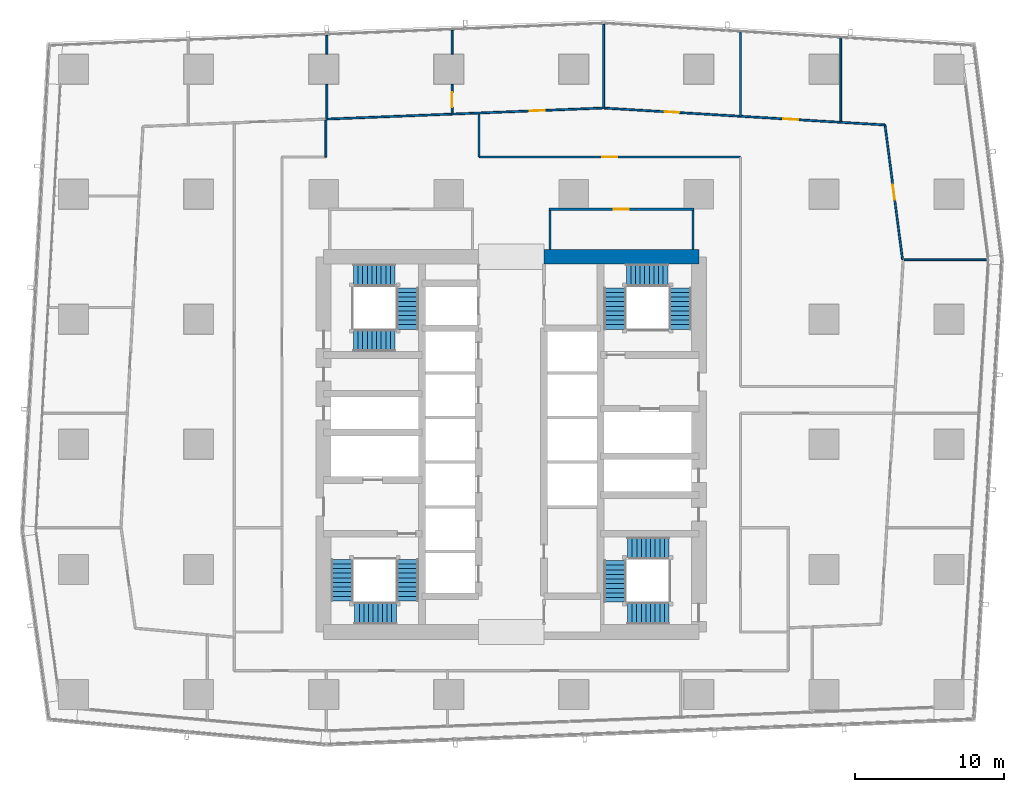
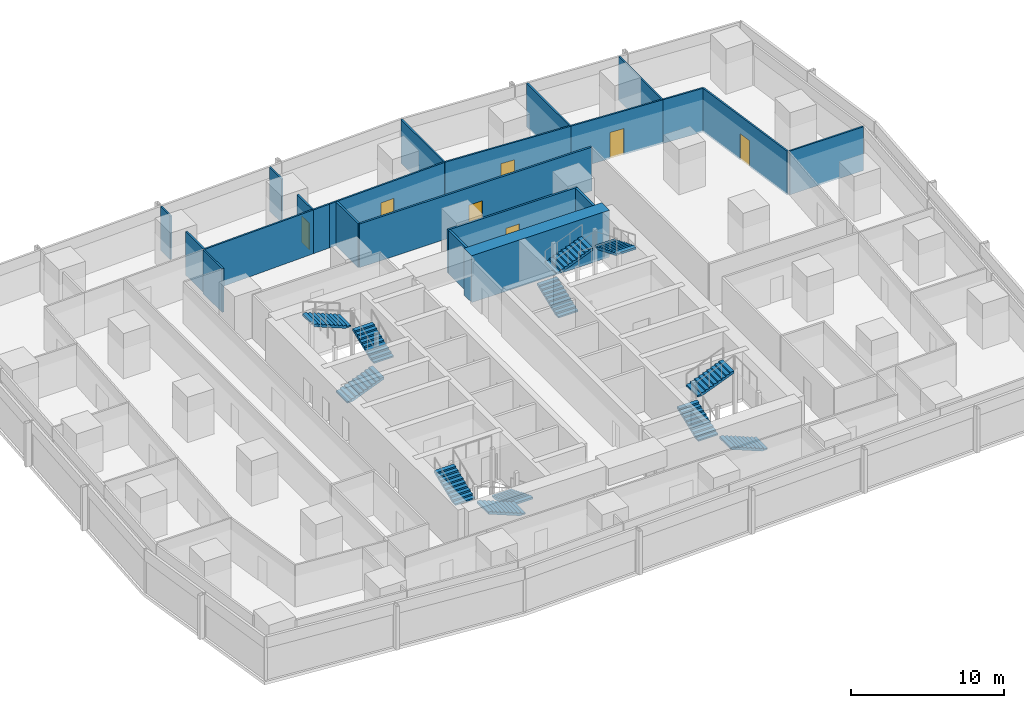
# One storey, part 31 of 39: 22 walls, 12 stair flights, 7 doors, 7 openings, 4 elements without a shape of their own.
"""IFC4 building model written with IfcOpenShell, lengths in metres."""

import ifcopenshell
import ifcopenshell.guid

model = None  # the IFC model being written
_history = None  # IfcOwnerHistory: only IFC2X3 demands one
_inside = {}  # id of a spatial element -> (the spatial element, [elements in it])
_under = {}  # id of a project, library or spatial element -> (it, [spatial elements below it])
_declared = {}  # id of a project -> (the project, [libraries it declares])
_typed = {}  # id of a type object -> (the type object, [elements of that type])
_made_of = {}  # id of a material, layer set ... -> (it, [elements and type objects made of it])


def new_model(schema):
    """Start an empty IFC model of exactly this schema.

    Asked for "IFC4X3", IfcOpenShell would pick the latest addendum, in which some entities
    have other attributes; the version numbers below select the first issue.
    IFC2X3 requires an IfcOwnerHistory on every rooted entity: one is made here for all.
    """
    global model, _history
    if schema == "IFC4X3":
        model = ifcopenshell.file(schema_version=(4, 3, 0, 0))
    else:
        model = ifcopenshell.file(schema=schema)
    _inside.clear()
    _under.clear()
    _declared.clear()
    _typed.clear()
    _made_of.clear()
    _history = None
    if model.schema == "IFC2X3":
        org = make("IfcOrganization", Name="unknown")
        user = make(
            "IfcPersonAndOrganization",
            ThePerson=make("IfcPerson", FamilyName="unknown"),
            TheOrganization=org,
        )
        app = make(
            "IfcApplication",
            ApplicationDeveloper=org,
            Version="unknown",
            ApplicationFullName="unknown",
            ApplicationIdentifier="unknown",
        )
        _history = make(
            "IfcOwnerHistory",
            OwningUser=user,
            OwningApplication=app,
            ChangeAction="ADDED",
            CreationDate=0,
        )
    return model


def make(cls, **values):
    """One entity of the class cls with the attributes given. An attribute that is None is left unset."""
    return model.create_entity(
        cls, **{name: value for name, value in values.items() if value is not None}
    )


def rooted(cls, **values):
    """An entity with a GlobalId (a new one), such as an element, a storey or a relation."""
    return make(cls, GlobalId=ifcopenshell.guid.new(), OwnerHistory=_history, **values)


def si_unit(unit_type, name, prefix=None):
    """IfcSIUnit, for example si_unit("LENGTHUNIT", "METRE", prefix="MILLI")."""
    return make("IfcSIUnit", UnitType=unit_type, Prefix=prefix, Name=name)


def assignment(units):
    """IfcUnitAssignment: the units of a project."""
    return None if units is None else make("IfcUnitAssignment", Units=units)


def point(xyz):
    """IfcCartesianPoint."""
    return None if xyz is None else make("IfcCartesianPoint", Coordinates=xyz)


def direction(xyz):
    """IfcDirection."""
    return None if xyz is None else make("IfcDirection", DirectionRatios=xyz)


def frame(location, z_axis=None, x_axis=None):
    """IfcAxis2Placement3D, a coordinate frame: its origin and axes. An axis left out is left unset."""
    return make(
        "IfcAxis2Placement3D",
        Location=point(location),
        Axis=direction(z_axis),
        RefDirection=direction(x_axis),
    )


def frame_2d(location, x_axis=None):
    """IfcAxis2Placement2D, a coordinate frame in the plane: its origin and x axis."""
    return make(
        "IfcAxis2Placement2D", Location=point(location), RefDirection=direction(x_axis)
    )


def origin():
    """The frame at (0, 0, 0) with its axes left unset."""
    return frame((0.0, 0.0, 0.0))


def place(relative_to, where):
    """IfcLocalPlacement: puts the frame where relative to a parent placement (None: the world)."""
    return make(
        "IfcLocalPlacement", PlacementRelTo=relative_to, RelativePlacement=where
    )


def context(
    kind, dimensions, precision=None, world=None, true_north=None, identifier=None
):
    """IfcGeometricRepresentationContext, for example the 3D "Model" context."""
    return make(
        "IfcGeometricRepresentationContext",
        ContextIdentifier=identifier,
        ContextType=kind,
        CoordinateSpaceDimension=dimensions,
        Precision=precision,
        WorldCoordinateSystem=world,
        TrueNorth=true_north,
    )


def subcontext(parent, identifier, kind, view, scale=None):
    """IfcGeometricRepresentationSubContext, for example "Body" below "Model"."""
    return make(
        "IfcGeometricRepresentationSubContext",
        ContextIdentifier=identifier,
        ContextType=kind,
        ParentContext=parent,
        TargetScale=scale,
        TargetView=view,
    )


def project(units=None, contexts=None):
    """IfcProject with its units and contexts."""
    return rooted(
        "IfcProject",
        Name="project",
        RepresentationContexts=contexts,
        UnitsInContext=assignment(units),
    )


def spatial(cls, under=None, at=None, **own):
    """A site, building, storey or space (cls), placed at a placement, below another one or the project."""
    s = rooted(cls, ObjectPlacement=at, **own)
    if under is not None:
        _under.setdefault(under.id(), (under, []))[1].append(s)
    return s


def polyline(points):
    """IfcPolyline through the points."""
    return make("IfcPolyline", Points=[point(p) for p in points])


def profile(cls, at=None, kind="AREA", **sizes):
    """A parametric profile (cls). Its sizes go by their IFC names, for example OverallWidth=200.0."""
    return make(cls, ProfileType=kind, Position=at, **sizes)


def rectangle(**sizes):
    """IfcRectangleProfileDef."""
    return profile("IfcRectangleProfileDef", **sizes)


def outline(outer, holes=None, kind="AREA"):
    """IfcArbitraryClosedProfileDef: a profile drawn as a closed curve; with holes, ...WithVoids."""
    if holes is None:
        return make("IfcArbitraryClosedProfileDef", ProfileType=kind, OuterCurve=outer)
    return make(
        "IfcArbitraryProfileDefWithVoids",
        ProfileType=kind,
        OuterCurve=outer,
        InnerCurves=holes,
    )


def extrude(swept, where, along, depth):
    """IfcExtrudedAreaSolid: the profile swept, set in the frame where, extruded along a direction by depth."""
    return make(
        "IfcExtrudedAreaSolid",
        SweptArea=swept,
        Position=where,
        ExtrudedDirection=direction(along),
        Depth=depth,
    )


def shape(context_of_items, identifier, shape_type, items):
    """IfcShapeRepresentation: the items that make up one representation, for example the "Body"."""
    return make(
        "IfcShapeRepresentation",
        ContextOfItems=context_of_items,
        RepresentationIdentifier=identifier,
        RepresentationType=shape_type,
        Items=items,
    )


def material(Name=None, Category=None):
    """IfcMaterial."""
    return make("IfcMaterial", Name=Name, Category=Category)


def layer(
    of_material, thickness, ventilated=None, Name=None, Category=None, Priority=None
):
    """IfcMaterialLayer: one layer of a wall or slab, of a material (None: an air gap)."""
    return make(
        "IfcMaterialLayer",
        Material=of_material,
        LayerThickness=thickness,
        IsVentilated=ventilated,
        Name=Name,
        Category=Category,
        Priority=Priority,
    )


def layer_set(layers, Name=None):
    """IfcMaterialLayerSet."""
    return make("IfcMaterialLayerSet", MaterialLayers=layers, LayerSetName=Name)


def made_of(thing, what):
    """Note that an element or type object is made of a material, layer set ...; save() writes the relation."""
    if what is not None:
        _made_of.setdefault(what.id(), (what, []))[1].append(thing)
    return thing


def type_object(cls, material=None, **own):
    """A type object (cls), such as IfcWallType, which elements share."""
    return made_of(rooted(cls, **own), material)


def element(
    cls,
    number,
    at=None,
    inside=None,
    cuts=None,
    type_object=None,
    material=None,
    context=None,
    identifier="Body",
    shape_type=None,
    held_by="IfcProductDefinitionShape",
    body=None,
    shapes=None,
    **own,
):
    """One element of the class cls, such as IfcWall. Its Tag is "e" and its number.

    at: its placement. inside: the storey or other place that contains it. cuts: it is an
    opening in that element (IfcRelVoidsElement). A single representation is given by context,
    identifier, shape_type and body (its items); several are given by shapes. held_by: the class
    of the entity that holds the representations. save() writes the other relations.
    """
    e = rooted(cls, Tag="e%d" % number, ObjectPlacement=at, **own)
    if body is not None:
        shapes = [shape(context, identifier, shape_type, body)]
    if shapes is not None:
        e.Representation = make(held_by, Representations=shapes)
    if inside is not None:
        _inside.setdefault(inside.id(), (inside, []))[1].append(e)
    if cuts is not None:
        rooted(
            "IfcRelVoidsElement", RelatingBuildingElement=cuts, RelatedOpeningElement=e
        )
    if type_object is not None:
        _typed.setdefault(type_object.id(), (type_object, []))[1].append(e)
    return made_of(e, material)


def fill(opening, filler):
    """IfcRelFillsElement: the door or window that sits in an opening."""
    return rooted(
        "IfcRelFillsElement",
        RelatingOpeningElement=opening,
        RelatedBuildingElement=filler,
    )


def aggregate(whole, parts):
    """IfcRelAggregates: a whole, such as a stair, and the parts it consists of."""
    return rooted("IfcRelAggregates", RelatingObject=whole, RelatedObjects=parts)


def save(model, path):
    """Write the relations noted so far, then the file.

    IfcRelAggregates (storeys below a building ...), IfcRelContainedInSpatialStructure (elements
    in a storey), IfcRelDefinesByType, IfcRelAssociatesMaterial and IfcRelDeclares: one each for
    every whole, place, type object, material and project.
    """
    for whole, parts in _under.values():
        aggregate(whole, parts)
    for where, things in _inside.values():
        rooted(
            "IfcRelContainedInSpatialStructure",
            RelatedElements=things,
            RelatingStructure=where,
        )
    for kind, things in _typed.values():
        rooted("IfcRelDefinesByType", RelatedObjects=things, RelatingType=kind)
    for what, things in _made_of.values():
        rooted("IfcRelAssociatesMaterial", RelatedObjects=things, RelatingMaterial=what)
    for by, libraries in _declared.values():
        rooted("IfcRelDeclares", RelatingContext=by, RelatedDefinitions=libraries)
    model.write(path)


model = new_model("IFC4")

# Units and contexts
model_context = context("Model", 3, precision=1e-05, world=origin(), true_north=direction((0.0, 1.0)))
body_context = subcontext(model_context, "Body", "Model", "MODEL_VIEW")
ifc_project = project(units=[si_unit("LENGTHUNIT", "METRE"), si_unit("AREAUNIT", "SQUARE_METRE"), si_unit("VOLUMEUNIT", "CUBIC_METRE"), si_unit("PLANEANGLEUNIT", "RADIAN"), si_unit("MASSUNIT", "GRAM", prefix="KILO")], contexts=[model_context])

# Site, building, storey
site_placement = place(None, origin())
site = spatial("IfcSite", under=ifc_project, at=site_placement, CompositionType="ELEMENT")
building_placement = place(site_placement, origin())
building = spatial("IfcBuilding", under=site, at=building_placement, Name="Rekha Terrace Tower", CompositionType="ELEMENT")
storey_placement = place(building_placement, frame((0.0, 0.0, 147.800048828125)))
storey = spatial("IfcBuildingStorey", under=building, at=storey_placement, Name="L37", CompositionType="ELEMENT", Elevation=147.800048828125)

# Wall
ifc_material_1 = material(Name="Concrete M70", Category="concrete")
ifc_layer_1 = layer(ifc_material_1, 1.0)
ifc_layer_set_1 = layer_set([ifc_layer_1], Name="Concrete M70")
wall_type_1 = type_object("IfcWallType", Name="SW2 1000 core outer shear wall", PredefinedType="SHEAR", material=ifc_layer_set_1)
wall_1_placement = place(storey_placement, frame((40.0, 46.199951171875, 0.0), z_axis=(0.0, 0.0, 1.0), x_axis=(1.0, 0.0, 0.0)))
element("IfcWall", 1, at=wall_1_placement, inside=storey, type_object=wall_type_1, Name="Core wall N2 L37", PredefinedType="SHEAR", context=body_context, shape_type="SweptSolid", body=[
    extrude(rectangle(XDim=10.39990234375, YDim=1.0, at=frame_2d((5.199951171875, 0.0))), origin(), (0.0, 0.0, 1.0), 3.75),
])

# Wall, opening, door
ifc_material_2 = material(Name="Concrete block masonry, 1 hour", Category="masonry")
ifc_layer_2 = layer(ifc_material_2, 0.14990234375)
ifc_layer_set_2 = layer_set([ifc_layer_2], Name="Concrete block masonry, 1 hour")
wall_type_2 = type_object("IfcWallType", Name="WP2 150 tenancy partition", PredefinedType="PARTITIONING", material=ifc_layer_set_2)
wall_2_placement = place(storey_placement, frame((40.324951171875, 49.39990234375, 0.0), z_axis=(0.0, 0.0, 1.0), x_axis=(1.0, 0.0, 0.0)))
wall_2 = element("IfcWall", 2, at=wall_2_placement, inside=storey, type_object=wall_type_2, Name="Women's WC wall L37", PredefinedType="PARTITIONING", context=body_context, shape_type="SweptSolid", body=[
    extrude(rectangle(XDim=9.75, YDim=0.14990234375, at=frame_2d((4.875, 0.0))), origin(), (0.0, 0.0, 1.0), 3.5),
])
opening_1_placement = place(wall_2_placement, frame((4.375, 0.0, 0.0)))
opening_1 = element("IfcOpeningElement", 3, at=opening_1_placement, cuts=wall_2, Name="Opening D3", PredefinedType="OPENING", context=body_context, shape_type="SweptSolid", body=[
    extrude(rectangle(XDim=1.0, YDim=2.10009765625, at=frame_2d((0.5, 1.050048828125))), frame((0.0, 0.0849609375, 0.0), z_axis=(0.0, -1.0, 0.0), x_axis=(1.0, 0.0, 0.0)), (0.0, 0.0, 1.0), 0.169921875),
])
ifc_material_3 = material(Name="Laminated timber fire door", Category="wood")
door_type_1 = type_object("IfcDoorType", Name="D3 1000x2100 WC door", OperationType="SINGLE_SWING_LEFT", PredefinedType="DOOR", material=ifc_material_3)
door_1_placement = place(opening_1_placement, origin())
door_1 = element("IfcDoor", 4, at=door_1_placement, inside=storey, type_object=door_type_1, Name="Door women's wc L37", OperationType="SINGLE_SWING_LEFT", OverallHeight=2.10009765625, OverallWidth=1.0, PredefinedType="DOOR", context=body_context, shape_type="SweptSolid", body=[
    extrude(rectangle(XDim=1.0, YDim=2.10009765625, at=frame_2d((0.5, 1.050048828125))), frame((0.0, 0.02490234375, 0.0), z_axis=(0.0, -1.0, 0.0), x_axis=(1.0, 0.0, 0.0)), (0.0, 0.0, 1.0), 0.050048828125),
])
fill(opening_1, door_1)

# Walls
for number, where, z_axis, x_axis, name in (
    (5, (40.39990234375, 46.699951171875, 0.0), (0.0, 0.0, 1.0), (0.0, 1.0, 0.0), "Women's WC wall L37"),
    (6, (50.0, 46.699951171875, 0.0), (0.0, 0.0, 1.0), (0.0, 1.0, 0.0), "Women's WC wall L37"),
):
    element("IfcWall", number, at=place(storey_placement, frame(where, z_axis=z_axis, x_axis=x_axis)), inside=storey, type_object=wall_type_2, Name=name, PredefinedType="PARTITIONING", context=body_context, shape_type="SweptSolid", body=[
        extrude(rectangle(XDim=2.625, YDim=0.14990234375, at=frame_2d((1.3125, 0.0))), origin(), (0.0, 0.0, 1.0), 3.5),
    ])

# Wall, opening, door
wall_3_placement = place(storey_placement, frame((53.199951171875, 52.89990234375, 0.0), z_axis=(0.0, 0.0, 1.0), x_axis=(-1.0, 0.0, 0.0)))
wall_3 = element("IfcWall", 7, at=wall_3_placement, inside=storey, type_object=wall_type_2, Name="Partition L37-O1", PredefinedType="PARTITIONING", context=body_context, shape_type="SweptSolid", body=[
    extrude(rectangle(XDim=17.573974609375, YDim=0.14990234375, at=frame_2d((8.787109375, 0.0))), origin(), (0.0, 0.0, 1.0), 3.5),
])
opening_2_placement = place(wall_3_placement, frame((8.287109375, 0.0, 0.0)))
opening_2 = element("IfcOpeningElement", 8, at=opening_2_placement, cuts=wall_3, Name="Opening D9", PredefinedType="OPENING", context=body_context, shape_type="SweptSolid", body=[
    extrude(rectangle(XDim=1.0, YDim=2.10009765625, at=frame_2d((0.5, 1.050048828125))), frame((0.0, 0.0849609375, 0.0), z_axis=(0.0, -1.0, 0.0), x_axis=(1.0, 0.0, 0.0)), (0.0, 0.0, 1.0), 0.169921875),
])
ifc_material_4 = material(Name="Timber fire door", Category="wood")
door_type_2 = type_object("IfcDoorType", Name="D9 1000x2100 office door", OperationType="SINGLE_SWING_LEFT", PredefinedType="DOOR", material=ifc_material_4)
door_2_placement = place(opening_2_placement, origin())
door_2 = element("IfcDoor", 9, at=door_2_placement, inside=storey, type_object=door_type_2, Name="Door open-plan office L37", OperationType="SINGLE_SWING_LEFT", OverallHeight=2.10009765625, OverallWidth=1.0, PredefinedType="DOOR", context=body_context, shape_type="SweptSolid", body=[
    extrude(rectangle(XDim=1.0, YDim=2.10009765625, at=frame_2d((0.5, 1.050048828125))), frame((0.0, 0.02490234375, 0.0), z_axis=(0.0, -1.0, 0.0), x_axis=(1.0, 0.0, 0.0)), (0.0, 0.0, 1.0), 0.050048828125),
])
fill(opening_2, door_2)

# Walls
wall_4_placement = place(storey_placement, frame((35.6259765625, 52.89990234375, 0.0), z_axis=(0.0, 0.0, 1.0), x_axis=(0.0, 1.0, 0.0)))
element("IfcWall", 10, at=wall_4_placement, inside=storey, type_object=wall_type_2, Name="Partition L37-O1", PredefinedType="PARTITIONING", context=body_context, shape_type="SweptSolid", body=[
    extrude(rectangle(XDim=2.89599609375, YDim=0.14990234375, at=frame_2d((1.447998046875, 0.0))), origin(), (0.0, 0.0, 1.0), 3.5),
])
ifc_material_5 = material(Name="Two layers of fire-rated gypsum board each side on steel studs, acoustic quilt, 1 hour", Category="steel")
ifc_layer_3 = layer(ifc_material_5, 0.125)
ifc_layer_set_3 = layer_set([ifc_layer_3], Name="Two layers of fire-rated gypsum board each side on steel studs, acoustic quilt, 1 hour")
wall_type_3 = type_object("IfcWallType", Name="WP3 125 office partition", PredefinedType="PARTITIONING", material=ifc_layer_set_3)
wall_5_placement = place(storey_placement, frame((64.18896484375, 46.0029296875, 0.0), z_axis=(0.0, 0.0, 1.0), x_axis=(1.0, 0.0, 0.0)))
element("IfcWall", 11, at=wall_5_placement, inside=storey, type_object=wall_type_3, Name="Partition L37-05", PredefinedType="PARTITIONING", context=body_context, shape_type="SweptSolid", body=[
    extrude(rectangle(XDim=5.56201171875, YDim=0.125, at=frame_2d((2.781005859375, 0.0))), origin(), (0.0, 0.0, 1.0), 3.5),
])
wall_6_placement = place(storey_placement, frame((59.93701171875, 55.23388671875, 0.0), z_axis=(0.0, 0.0, 1.0), x_axis=(0.0, 1.0, 0.0)))
element("IfcWall", 12, at=wall_6_placement, inside=storey, type_object=wall_type_3, Name="Partition L37-06", PredefinedType="PARTITIONING", context=body_context, shape_type="SweptSolid", body=[
    extrude(rectangle(XDim=5.66015625, YDim=0.125, at=frame_2d((2.830078125, 0.0))), origin(), (0.0, 0.0, 1.0), 3.5),
])

# Wall, opening, door
wall_7_placement = place(storey_placement, frame((64.0830078125, 46.012939453125, 0.0), z_axis=(0.0, 0.0, 1.0), x_axis=(-0.129173227862, 0.991622043525, 0.0)))
wall_7 = element("IfcWall", 13, at=wall_7_placement, inside=storey, type_object=wall_type_3, Name="Partition L37-06", PredefinedType="PARTITIONING", context=body_context, shape_type="SweptSolid", body=[
    extrude(rectangle(XDim=9.119384765625, YDim=0.125, at=frame_2d((4.5595703125, 0.0))), origin(), (0.0, 0.0, 1.0), 3.5),
])
opening_3_placement = place(wall_7_placement, frame((4.054931640625, 0.0, 0.0)))
opening_3 = element("IfcOpeningElement", 14, at=opening_3_placement, cuts=wall_7, Name="Opening D9", PredefinedType="OPENING", context=body_context, shape_type="SweptSolid", body=[
    extrude(rectangle(XDim=1.0, YDim=2.10009765625, at=frame_2d((0.5, 1.050048828125))), frame((0.0, 0.072509765625, 0.0), z_axis=(0.0, -1.0, 0.0), x_axis=(1.0, 0.0, 0.0)), (0.0, 0.0, 1.0), 0.14501953125),
])
door_3_placement = place(opening_3_placement, origin())
door_3 = element("IfcDoor", 15, at=door_3_placement, inside=storey, type_object=door_type_2, Name="Door director's office L37", OperationType="SINGLE_SWING_LEFT", OverallHeight=2.10009765625, OverallWidth=1.0, PredefinedType="DOOR", context=body_context, shape_type="SweptSolid", body=[
    extrude(rectangle(XDim=1.0, YDim=2.10009765625, at=frame_2d((0.5, 1.050048828125))), frame((0.0, 0.02490234375, 0.0), z_axis=(0.0, -1.0, 0.0), x_axis=(1.0, 0.0, 0.0)), (0.0, 0.0, 1.0), 0.050048828125),
])
fill(opening_3, door_3)

# Wall
wall_8_placement = place(storey_placement, frame((62.905029296875, 55.055908203125, 0.0), z_axis=(0.0, 0.0, 1.0), x_axis=(-0.998206906615, 0.059857928348, 0.0)))
element("IfcWall", 16, at=wall_8_placement, inside=storey, type_object=wall_type_3, Name="Partition L37-06", PredefinedType="PARTITIONING", context=body_context, shape_type="SweptSolid", body=[
    extrude(rectangle(XDim=2.973388671875, YDim=0.125, at=frame_2d((1.48681640625, 0.0))), origin(), (0.0, 0.0, 1.0), 3.5),
])

# Wall, opening, door
wall_9_placement = place(storey_placement, frame((59.93603515625, 55.23388671875, 0.0), z_axis=(0.0, 0.0, 1.0), x_axis=(-0.998198743515, 0.059993903398, 0.0)))
wall_9 = element("IfcWall", 17, at=wall_9_placement, inside=storey, type_object=wall_type_3, Name="Partition L37-07", PredefinedType="PARTITIONING", context=body_context, shape_type="SweptSolid", body=[
    extrude(rectangle(XDim=6.751220703125, YDim=0.125, at=frame_2d((3.37548828125, 0.0))), origin(), (0.0, 0.0, 1.0), 3.5),
])
opening_4_placement = place(wall_9_placement, frame((2.8759765625, 0.0, 0.0)))
opening_4 = element("IfcOpeningElement", 18, at=opening_4_placement, cuts=wall_9, Name="Opening D9", PredefinedType="OPENING", context=body_context, shape_type="SweptSolid", body=[
    extrude(rectangle(XDim=1.0, YDim=2.10009765625, at=frame_2d((0.5, 1.050048828125))), frame((0.0, 0.072509765625, 0.0), z_axis=(0.0, -1.0, 0.0), x_axis=(1.0, 0.0, 0.0)), (0.0, 0.0, 1.0), 0.14501953125),
])
door_4_placement = place(opening_4_placement, origin())
door_4 = element("IfcDoor", 19, at=door_4_placement, inside=storey, type_object=door_type_2, Name="Door office L37", OperationType="SINGLE_SWING_LEFT", OverallHeight=2.10009765625, OverallWidth=1.0, PredefinedType="DOOR", context=body_context, shape_type="SweptSolid", body=[
    extrude(rectangle(XDim=1.0, YDim=2.10009765625, at=frame_2d((0.5, 1.050048828125))), frame((0.0, 0.02490234375, 0.0), z_axis=(0.0, -1.0, 0.0), x_axis=(1.0, 0.0, 0.0)), (0.0, 0.0, 1.0), 0.050048828125),
])
fill(opening_4, door_4)

# Wall
wall_10_placement = place(storey_placement, frame((53.197021484375, 55.638916015625, 0.0), z_axis=(0.0, 0.0, 1.0), x_axis=(0.0, 1.0, 0.0)))
element("IfcWall", 20, at=wall_10_placement, inside=storey, type_object=wall_type_3, Name="Partition L37-07", PredefinedType="PARTITIONING", context=body_context, shape_type="SweptSolid", body=[
    extrude(rectangle(XDim=5.66015625, YDim=0.125, at=frame_2d((2.830078125, 0.0))), origin(), (0.0, 0.0, 1.0), 3.5),
])

# Wall, opening, door
wall_11_placement = place(storey_placement, frame((53.196044921875, 55.638916015625, 0.0), z_axis=(0.0, 0.0, 1.0), x_axis=(-0.998195418224, 0.060049205128, 0.0)))
wall_11 = element("IfcWall", 21, at=wall_11_placement, inside=storey, type_object=wall_type_3, Name="Partition L37-08", PredefinedType="PARTITIONING", context=body_context, shape_type="SweptSolid", body=[
    extrude(rectangle(XDim=9.208740234375, YDim=0.125, at=frame_2d((4.6044921875, 0.0))), origin(), (0.0, 0.0, 1.0), 3.5),
])
opening_5_placement = place(wall_11_placement, frame((4.10400390625, 0.0, 0.0)))
opening_5 = element("IfcOpeningElement", 22, at=opening_5_placement, cuts=wall_11, Name="Opening D9", PredefinedType="OPENING", context=body_context, shape_type="SweptSolid", body=[
    extrude(rectangle(XDim=1.0, YDim=2.10009765625, at=frame_2d((0.5, 1.050048828125))), frame((0.0, 0.072509765625, 0.0), z_axis=(0.0, -1.0, 0.0), x_axis=(1.0, 0.0, 0.0)), (0.0, 0.0, 1.0), 0.14501953125),
])
door_5_placement = place(opening_5_placement, origin())
door_5 = element("IfcDoor", 23, at=door_5_placement, inside=storey, type_object=door_type_2, Name="Door office L37", OperationType="SINGLE_SWING_LEFT", OverallHeight=2.10009765625, OverallWidth=1.0, PredefinedType="DOOR", context=body_context, shape_type="SweptSolid", body=[
    extrude(rectangle(XDim=1.0, YDim=2.10009765625, at=frame_2d((0.5, 1.050048828125))), frame((0.0, 0.02490234375, 0.0), z_axis=(0.0, -1.0, 0.0), x_axis=(1.0, 0.0, 0.0)), (0.0, 0.0, 1.0), 0.050048828125),
])
fill(opening_5, door_5)

# Walls
wall_12_placement = place(storey_placement, frame((44.00390625, 56.19189453125, 0.0), z_axis=(0.0, 0.0, 1.0), x_axis=(0.0, 1.0, 0.0)))
element("IfcWall", 24, at=wall_12_placement, inside=storey, type_object=wall_type_3, Name="Partition L37-08", PredefinedType="PARTITIONING", context=body_context, shape_type="SweptSolid", body=[
    extrude(rectangle(XDim=5.627197265625, YDim=0.125, at=frame_2d((2.8134765625, 0.0))), origin(), (0.0, 0.0, 1.0), 3.5),
])
wall_13_placement = place(storey_placement, frame((35.074951171875, 55.8359375, 0.0), z_axis=(0.0, 0.0, 1.0), x_axis=(-0.999195637698, -0.040100842938, 0.0)))
element("IfcWall", 25, at=wall_13_placement, inside=storey, type_object=wall_type_3, Name="Partition L37-09", PredefinedType="PARTITIONING", context=body_context, shape_type="SweptSolid", body=[
    extrude(rectangle(XDim=1.248046875, YDim=0.125, at=frame_2d((0.6240234375, 0.0))), origin(), (0.0, 0.0, 1.0), 3.5),
])

# Wall, opening, door
wall_14_placement = place(storey_placement, frame((33.827880859375, 55.785888671875, 0.0), z_axis=(0.0, 0.0, 1.0), x_axis=(0.0, 1.0, 0.0)))
wall_14 = element("IfcWall", 26, at=wall_14_placement, inside=storey, type_object=wall_type_3, Name="Partition L37-09", PredefinedType="PARTITIONING", context=body_context, shape_type="SweptSolid", body=[
    extrude(rectangle(XDim=1.994140625, YDim=0.125, at=frame_2d((0.9970703125, 0.0))), origin(), (0.0, 0.0, 1.0), 3.5),
])
opening_6_placement = place(wall_14_placement, frame((0.4619140625, 0.0, 0.0)))
opening_6 = element("IfcOpeningElement", 27, at=opening_6_placement, cuts=wall_14, Name="Opening D9", PredefinedType="OPENING", context=body_context, shape_type="SweptSolid", body=[
    extrude(rectangle(XDim=1.0, YDim=2.10009765625, at=frame_2d((0.5, 1.050048828125))), frame((0.0, 0.072509765625, 0.0), z_axis=(0.0, -1.0, 0.0), x_axis=(1.0, 0.0, 0.0)), (0.0, 0.0, 1.0), 0.14501953125),
])
door_6_placement = place(opening_6_placement, origin())
door_6 = element("IfcDoor", 28, at=door_6_placement, inside=storey, type_object=door_type_2, Name="Door office L37", OperationType="SINGLE_SWING_LEFT", OverallHeight=2.10009765625, OverallWidth=1.0, PredefinedType="DOOR", context=body_context, shape_type="SweptSolid", body=[
    extrude(rectangle(XDim=1.0, YDim=2.10009765625, at=frame_2d((0.5, 1.050048828125))), frame((0.0, 0.02490234375, 0.0), z_axis=(0.0, -1.0, 0.0), x_axis=(1.0, 0.0, 0.0)), (0.0, 0.0, 1.0), 0.050048828125),
])
fill(opening_6, door_6)

# Wall
wall_15_placement = place(storey_placement, frame((33.827880859375, 59.820068359375, 0.0), z_axis=(0.0, 0.0, 1.0), x_axis=(0.0, 1.0, 0.0)))
element("IfcWall", 29, at=wall_15_placement, inside=storey, type_object=wall_type_3, Name="Partition L37-09", PredefinedType="PARTITIONING", context=body_context, shape_type="SweptSolid", body=[
    extrude(rectangle(XDim=1.5908203125, YDim=0.125, at=frame_2d((0.79541015625, 0.0))), origin(), (0.0, 0.0, 1.0), 3.5),
])

# Wall, opening, door
wall_16_placement = place(storey_placement, frame((43.952880859375, 56.19189453125, 0.0), z_axis=(0.0, 0.0, 1.0), x_axis=(-0.999197179381, -0.040062410283, 0.0)))
wall_16 = element("IfcWall", 30, at=wall_16_placement, inside=storey, type_object=wall_type_3, Name="Partition L37-09", PredefinedType="PARTITIONING", context=body_context, shape_type="SweptSolid", body=[
    extrude(rectangle(XDim=8.885009765625, YDim=0.125, at=frame_2d((4.4423828125, 0.0))), origin(), (0.0, 0.0, 1.0), 3.5),
])
opening_7_placement = place(wall_16_placement, frame((3.91796875, 0.0, 0.0)))
opening_7 = element("IfcOpeningElement", 31, at=opening_7_placement, cuts=wall_16, Name="Opening D9", PredefinedType="OPENING", context=body_context, shape_type="SweptSolid", body=[
    extrude(rectangle(XDim=1.0, YDim=2.10009765625, at=frame_2d((0.5, 1.050048828125))), frame((0.0, 0.072509765625, 0.0), z_axis=(0.0, -1.0, 0.0), x_axis=(1.0, 0.0, 0.0)), (0.0, 0.0, 1.0), 0.14501953125),
])
door_7_placement = place(opening_7_placement, origin())
door_7 = element("IfcDoor", 32, at=door_7_placement, inside=storey, type_object=door_type_2, Name="Door office L37", OperationType="SINGLE_SWING_LEFT", OverallHeight=2.10009765625, OverallWidth=1.0, PredefinedType="DOOR", context=body_context, shape_type="SweptSolid", body=[
    extrude(rectangle(XDim=1.0, YDim=2.10009765625, at=frame_2d((0.5, 1.050048828125))), frame((0.0, 0.02490234375, 0.0), z_axis=(0.0, -1.0, 0.0), x_axis=(1.0, 0.0, 0.0)), (0.0, 0.0, 1.0), 0.050048828125),
])
fill(opening_7, door_7)

# Walls
wall_17_placement = place(storey_placement, frame((25.4140625, 55.448974609375, 0.0), z_axis=(0.0, 0.0, 1.0), x_axis=(0.0, 1.0, 0.0)))
element("IfcWall", 33, at=wall_17_placement, inside=storey, type_object=wall_type_3, Name="Partition L37-10", PredefinedType="PARTITIONING", context=body_context, shape_type="SweptSolid", body=[
    extrude(rectangle(XDim=2.3310546875, YDim=0.125, at=frame_2d((1.16552734375, 0.0))), origin(), (0.0, 0.0, 1.0), 3.5),
])
wall_18_placement = place(storey_placement, frame((25.4140625, 59.820068359375, 0.0), z_axis=(0.0, 0.0, 1.0), x_axis=(0.0, 1.0, 0.0)))
element("IfcWall", 34, at=wall_18_placement, inside=storey, type_object=wall_type_3, Name="Partition L37-10", PredefinedType="PARTITIONING", context=body_context, shape_type="SweptSolid", body=[
    extrude(rectangle(XDim=1.25390625, YDim=0.125, at=frame_2d((0.626953125, 0.0))), origin(), (0.0, 0.0, 1.0), 3.5),
])
wall_19_placement = place(storey_placement, frame((33.826904296875, 55.785888671875, 0.0), z_axis=(0.0, 0.0, 1.0), x_axis=(-0.999199058446, -0.04001551701, 0.0)))
element("IfcWall", 35, at=wall_19_placement, inside=storey, type_object=wall_type_3, Name="Partition L37-10", PredefinedType="PARTITIONING", context=body_context, shape_type="SweptSolid", body=[
    extrude(rectangle(XDim=8.419677734375, YDim=0.125, at=frame_2d((4.2099609375, 0.0))), origin(), (0.0, 0.0, 1.0), 3.5),
])
wall_20_placement = place(storey_placement, frame((25.346923828125, 55.384033203125, 0.0), z_axis=(0.0, 0.0, 1.0), x_axis=(0.0, -1.0, 0.0)))
element("IfcWall", 36, at=wall_20_placement, inside=storey, type_object=wall_type_3, Name="Partition L37-19", PredefinedType="PARTITIONING", context=body_context, shape_type="SweptSolid", body=[
    extrude(rectangle(XDim=2.484130859375, YDim=0.125, at=frame_2d((1.2421875, 0.0))), origin(), (0.0, 0.0, 1.0), 3.5),
])

# Stair, stair flights
ifc_material_6 = material(Name="Concrete M40", Category="concrete")
stair_type = type_object("IfcStairType", Name="ST30 stair, 30 risers of 125, going 310, 1500 wide flights, 3 flights", PredefinedType="HALF_TURN_STAIR", material=ifc_material_6)
stair_1_placement = place(storey_placement, origin())
stair_1 = element("IfcStair", 37, at=stair_1_placement, inside=storey, type_object=stair_type, Name="Stair ST1 L37 to L38", PredefinedType="HALF_TURN_STAIR")
stair_flight_type = type_object("IfcStairFlightType", Name="SF10 stair flight, 10 risers of 125, going 310, 1500 wide", PredefinedType="STRAIGHT", material=ifc_material_6)
stair_flight_1_placement = place(storey_placement, frame((30.824951171875, 25.875, 0.0), z_axis=(0.0, 0.0, 1.0), x_axis=(0.0, -1.0, 0.0)))
stair_flight_1 = element("IfcStairFlight", 38, at=stair_flight_1_placement, type_object=stair_flight_type, Name="ST1 flight 1", NumberOfRisers=10, NumberOfTreads=9, PredefinedType="STRAIGHT", RiserHeight=0.125, TreadLength=0.31, context=body_context, shape_type="SweptSolid", body=[
    extrude(outline(polyline([(0.0, 0.0), (0.0, 0.125), (0.31005859375, 0.125), (0.31005859375, 0.25), (0.6201171875, 0.25), (0.6201171875, 0.375), (0.929931640625, 0.375), (0.929931640625, 0.5), (1.239990234375, 0.5), (1.239990234375, 0.625), (1.550048828125, 0.625), (1.550048828125, 0.75), (1.860107421875, 0.75), (1.860107421875, 0.875), (2.169921875, 0.875), (2.169921875, 1.0), (2.47998046875, 1.0), (2.47998046875, 1.125), (2.7900390625, 1.125), (2.7900390625, 1.25), (2.7900390625, 0.96337890625), (0.40087890625, 0.0), (0.0, 0.0)])), frame((0.0, 0.75, 0.0), z_axis=(0.0, -1.0, 0.0), x_axis=(1.0, 0.0, 0.0)), (0.0, 0.0, 1.0), 1.5),
])
stair_flight_2_placement = place(storey_placement, frame((30.074951171875, 22.25, 1.25), z_axis=(0.0, 0.0, 1.0), x_axis=(-1.0, 0.0, 0.0)))
stair_flight_2 = element("IfcStairFlight", 39, at=stair_flight_2_placement, type_object=stair_flight_type, Name="ST1 flight 2", NumberOfRisers=10, NumberOfTreads=9, PredefinedType="STRAIGHT", RiserHeight=0.125, TreadLength=0.31, context=body_context, shape_type="SweptSolid", body=[
    extrude(outline(polyline([(0.0, 0.0), (0.0, 0.125), (0.31005859375, 0.125), (0.31005859375, 0.25), (0.6201171875, 0.25), (0.6201171875, 0.375), (0.929931640625, 0.375), (0.929931640625, 0.5), (1.239990234375, 0.5), (1.239990234375, 0.625), (1.550048828125, 0.625), (1.550048828125, 0.75), (1.860107421875, 0.75), (1.860107421875, 0.875), (2.169921875, 0.875), (2.169921875, 1.0), (2.47998046875, 1.0), (2.47998046875, 1.125), (2.7900390625, 1.125), (2.7900390625, 1.25), (2.7900390625, 0.96337890625), (0.40087890625, 0.0), (0.0, 0.0)])), frame((0.0, 0.75, 0.0), z_axis=(0.0, -1.0, 0.0), x_axis=(1.0, 0.0, 0.0)), (0.0, 0.0, 1.0), 1.5),
])
stair_flight_3_placement = place(storey_placement, frame((26.449951171875, 23.0849609375, 2.5), z_axis=(0.0, 0.0, 1.0), x_axis=(0.0, 1.0, 0.0)))
stair_flight_3 = element("IfcStairFlight", 40, at=stair_flight_3_placement, type_object=stair_flight_type, Name="ST1 flight 3", NumberOfRisers=10, NumberOfTreads=9, PredefinedType="STRAIGHT", RiserHeight=0.125, TreadLength=0.31, context=body_context, shape_type="SweptSolid", body=[
    extrude(outline(polyline([(0.0, 0.0), (0.0, 0.125), (0.31005859375, 0.125), (0.31005859375, 0.25), (0.6201171875, 0.25), (0.6201171875, 0.375), (0.929931640625, 0.375), (0.929931640625, 0.5), (1.239990234375, 0.5), (1.239990234375, 0.625), (1.550048828125, 0.625), (1.550048828125, 0.75), (1.860107421875, 0.75), (1.860107421875, 0.875), (2.169921875, 0.875), (2.169921875, 1.0), (2.47998046875, 1.0), (2.47998046875, 1.125), (2.7900390625, 1.125), (2.7900390625, 1.25), (2.7900390625, 0.96337890625), (0.40087890625, 0.0), (0.0, 0.0)])), frame((0.0, 0.75, 0.0), z_axis=(0.0, -1.0, 0.0), x_axis=(1.0, 0.0, 0.0)), (0.0, 0.0, 1.0), 1.5),
])
aggregate(stair_1, [stair_flight_1, stair_flight_2, stair_flight_3])

stair_2_placement = place(storey_placement, origin())
stair_2 = element("IfcStair", 41, at=stair_2_placement, inside=storey, type_object=stair_type, Name="Stair ST2 L37 to L38", PredefinedType="HALF_TURN_STAIR")
stair_flight_4_placement = place(storey_placement, frame((44.77490234375, 41.324951171875, 0.0), z_axis=(0.0, 0.0, 1.0), x_axis=(0.0, 1.0, 0.0)))
stair_flight_4 = element("IfcStairFlight", 42, at=stair_flight_4_placement, type_object=stair_flight_type, Name="ST2 flight 1", NumberOfRisers=10, NumberOfTreads=9, PredefinedType="STRAIGHT", RiserHeight=0.125, TreadLength=0.31, context=body_context, shape_type="SweptSolid", body=[
    extrude(outline(polyline([(0.0, 0.0), (0.0, 0.125), (0.31005859375, 0.125), (0.31005859375, 0.25), (0.6201171875, 0.25), (0.6201171875, 0.375), (0.929931640625, 0.375), (0.929931640625, 0.5), (1.239990234375, 0.5), (1.239990234375, 0.625), (1.550048828125, 0.625), (1.550048828125, 0.75), (1.860107421875, 0.75), (1.860107421875, 0.875), (2.169921875, 0.875), (2.169921875, 1.0), (2.47998046875, 1.0), (2.47998046875, 1.125), (2.7900390625, 1.125), (2.7900390625, 1.25), (2.7900390625, 0.96337890625), (0.40087890625, 0.0), (0.0, 0.0)])), frame((0.0, 0.75, 0.0), z_axis=(0.0, -1.0, 0.0), x_axis=(1.0, 0.0, 0.0)), (0.0, 0.0, 1.0), 1.5),
])
stair_flight_5_placement = place(storey_placement, frame((45.52490234375, 44.949951171875, 1.25), z_axis=(0.0, 0.0, 1.0), x_axis=(1.0, 0.0, 0.0)))
stair_flight_5 = element("IfcStairFlight", 43, at=stair_flight_5_placement, type_object=stair_flight_type, Name="ST2 flight 2", NumberOfRisers=10, NumberOfTreads=9, PredefinedType="STRAIGHT", RiserHeight=0.125, TreadLength=0.31, context=body_context, shape_type="SweptSolid", body=[
    extrude(outline(polyline([(0.0, 0.0), (0.0, 0.125), (0.31005859375, 0.125), (0.31005859375, 0.25), (0.6201171875, 0.25), (0.6201171875, 0.375), (0.929931640625, 0.375), (0.929931640625, 0.5), (1.239990234375, 0.5), (1.239990234375, 0.625), (1.550048828125, 0.625), (1.550048828125, 0.75), (1.860107421875, 0.75), (1.860107421875, 0.875), (2.169921875, 0.875), (2.169921875, 1.0), (2.47998046875, 1.0), (2.47998046875, 1.125), (2.7900390625, 1.125), (2.7900390625, 1.25), (2.7900390625, 0.96337890625), (0.40087890625, 0.0), (0.0, 0.0)])), frame((0.0, 0.75, 0.0), z_axis=(0.0, -1.0, 0.0), x_axis=(1.0, 0.0, 0.0)), (0.0, 0.0, 1.0), 1.5),
])
stair_flight_6_placement = place(storey_placement, frame((49.14990234375, 44.114990234375, 2.5), z_axis=(0.0, 0.0, 1.0), x_axis=(0.0, -1.0, 0.0)))
stair_flight_6 = element("IfcStairFlight", 44, at=stair_flight_6_placement, type_object=stair_flight_type, Name="ST2 flight 3", NumberOfRisers=10, NumberOfTreads=9, PredefinedType="STRAIGHT", RiserHeight=0.125, TreadLength=0.31, context=body_context, shape_type="SweptSolid", body=[
    extrude(outline(polyline([(0.0, 0.0), (0.0, 0.125), (0.31005859375, 0.125), (0.31005859375, 0.25), (0.6201171875, 0.25), (0.6201171875, 0.375), (0.929931640625, 0.375), (0.929931640625, 0.5), (1.239990234375, 0.5), (1.239990234375, 0.625), (1.550048828125, 0.625), (1.550048828125, 0.75), (1.860107421875, 0.75), (1.860107421875, 0.875), (2.169921875, 0.875), (2.169921875, 1.0), (2.47998046875, 1.0), (2.47998046875, 1.125), (2.7900390625, 1.125), (2.7900390625, 1.25), (2.7900390625, 0.96337890625), (0.40087890625, 0.0), (0.0, 0.0)])), frame((0.0, 0.75, 0.0), z_axis=(0.0, -1.0, 0.0), x_axis=(1.0, 0.0, 0.0)), (0.0, 0.0, 1.0), 1.5),
])
aggregate(stair_2, [stair_flight_4, stair_flight_5, stair_flight_6])

stair_3_placement = place(storey_placement, origin())
stair_3 = element("IfcStair", 45, at=stair_3_placement, inside=storey, type_object=stair_type, Name="Stair ST3 L37 to L38", PredefinedType="HALF_TURN_STAIR")
stair_flight_7_placement = place(storey_placement, frame((48.39990234375, 22.25, 0.0), z_axis=(0.0, 0.0, 1.0), x_axis=(-1.0, 0.0, 0.0)))
stair_flight_7 = element("IfcStairFlight", 46, at=stair_flight_7_placement, type_object=stair_flight_type, Name="ST3 flight 1", NumberOfRisers=10, NumberOfTreads=9, PredefinedType="STRAIGHT", RiserHeight=0.125, TreadLength=0.31, context=body_context, shape_type="SweptSolid", body=[
    extrude(outline(polyline([(0.0, 0.0), (0.0, 0.125), (0.31005859375, 0.125), (0.31005859375, 0.25), (0.6201171875, 0.25), (0.6201171875, 0.375), (0.929931640625, 0.375), (0.929931640625, 0.5), (1.239990234375, 0.5), (1.239990234375, 0.625), (1.550048828125, 0.625), (1.550048828125, 0.75), (1.860107421875, 0.75), (1.860107421875, 0.875), (2.169921875, 0.875), (2.169921875, 1.0), (2.47998046875, 1.0), (2.47998046875, 1.125), (2.7900390625, 1.125), (2.7900390625, 1.25), (2.7900390625, 0.96337890625), (0.40087890625, 0.0), (0.0, 0.0)])), frame((0.0, 0.75, 0.0), z_axis=(0.0, -1.0, 0.0), x_axis=(1.0, 0.0, 0.0)), (0.0, 0.0, 1.0), 1.5),
])
stair_flight_8_placement = place(storey_placement, frame((44.77490234375, 23.0, 1.25), z_axis=(0.0, 0.0, 1.0), x_axis=(0.0, 1.0, 0.0)))
stair_flight_8 = element("IfcStairFlight", 47, at=stair_flight_8_placement, type_object=stair_flight_type, Name="ST3 flight 2", NumberOfRisers=10, NumberOfTreads=9, PredefinedType="STRAIGHT", RiserHeight=0.125, TreadLength=0.31, context=body_context, shape_type="SweptSolid", body=[
    extrude(outline(polyline([(0.0, 0.0), (0.0, 0.125), (0.31005859375, 0.125), (0.31005859375, 0.25), (0.6201171875, 0.25), (0.6201171875, 0.375), (0.929931640625, 0.375), (0.929931640625, 0.5), (1.239990234375, 0.5), (1.239990234375, 0.625), (1.550048828125, 0.625), (1.550048828125, 0.75), (1.860107421875, 0.75), (1.860107421875, 0.875), (2.169921875, 0.875), (2.169921875, 1.0), (2.47998046875, 1.0), (2.47998046875, 1.125), (2.7900390625, 1.125), (2.7900390625, 1.25), (2.7900390625, 0.96337890625), (0.40087890625, 0.0), (0.0, 0.0)])), frame((0.0, 0.75, 0.0), z_axis=(0.0, -1.0, 0.0), x_axis=(1.0, 0.0, 0.0)), (0.0, 0.0, 1.0), 1.5),
])
stair_flight_9_placement = place(storey_placement, frame((45.610107421875, 26.625, 2.5), z_axis=(0.0, 0.0, 1.0), x_axis=(1.0, 0.0, 0.0)))
stair_flight_9 = element("IfcStairFlight", 48, at=stair_flight_9_placement, type_object=stair_flight_type, Name="ST3 flight 3", NumberOfRisers=10, NumberOfTreads=9, PredefinedType="STRAIGHT", RiserHeight=0.125, TreadLength=0.31, context=body_context, shape_type="SweptSolid", body=[
    extrude(outline(polyline([(0.0, 0.0), (0.0, 0.125), (0.31005859375, 0.125), (0.31005859375, 0.25), (0.6201171875, 0.25), (0.6201171875, 0.375), (0.929931640625, 0.375), (0.929931640625, 0.5), (1.239990234375, 0.5), (1.239990234375, 0.625), (1.550048828125, 0.625), (1.550048828125, 0.75), (1.860107421875, 0.75), (1.860107421875, 0.875), (2.169921875, 0.875), (2.169921875, 1.0), (2.47998046875, 1.0), (2.47998046875, 1.125), (2.7900390625, 1.125), (2.7900390625, 1.25), (2.7900390625, 0.96337890625), (0.40087890625, 0.0), (0.0, 0.0)])), frame((0.0, 0.75, 0.0), z_axis=(0.0, -1.0, 0.0), x_axis=(1.0, 0.0, 0.0)), (0.0, 0.0, 1.0), 1.5),
])
aggregate(stair_3, [stair_flight_7, stair_flight_8, stair_flight_9])

stair_4_placement = place(storey_placement, origin())
stair_4 = element("IfcStair", 49, at=stair_4_placement, inside=storey, type_object=stair_type, Name="Stair ST4 L37 to L38", PredefinedType="HALF_TURN_STAIR")
stair_flight_10_placement = place(storey_placement, frame((27.199951171875, 40.574951171875, 0.0), z_axis=(0.0, 0.0, 1.0), x_axis=(1.0, 0.0, 0.0)))
stair_flight_10 = element("IfcStairFlight", 50, at=stair_flight_10_placement, type_object=stair_flight_type, Name="ST4 flight 1", NumberOfRisers=10, NumberOfTreads=9, PredefinedType="STRAIGHT", RiserHeight=0.125, TreadLength=0.31, context=body_context, shape_type="SweptSolid", body=[
    extrude(outline(polyline([(0.0, 0.0), (0.0, 0.125), (0.31005859375, 0.125), (0.31005859375, 0.25), (0.6201171875, 0.25), (0.6201171875, 0.375), (0.929931640625, 0.375), (0.929931640625, 0.5), (1.239990234375, 0.5), (1.239990234375, 0.625), (1.550048828125, 0.625), (1.550048828125, 0.75), (1.860107421875, 0.75), (1.860107421875, 0.875), (2.169921875, 0.875), (2.169921875, 1.0), (2.47998046875, 1.0), (2.47998046875, 1.125), (2.7900390625, 1.125), (2.7900390625, 1.25), (2.7900390625, 0.96337890625), (0.40087890625, 0.0), (0.0, 0.0)])), frame((0.0, 0.75, 0.0), z_axis=(0.0, -1.0, 0.0), x_axis=(1.0, 0.0, 0.0)), (0.0, 0.0, 1.0), 1.5),
])
stair_flight_11_placement = place(storey_placement, frame((30.824951171875, 41.324951171875, 1.25), z_axis=(0.0, 0.0, 1.0), x_axis=(0.0, 1.0, 0.0)))
stair_flight_11 = element("IfcStairFlight", 51, at=stair_flight_11_placement, type_object=stair_flight_type, Name="ST4 flight 2", NumberOfRisers=10, NumberOfTreads=9, PredefinedType="STRAIGHT", RiserHeight=0.125, TreadLength=0.31, context=body_context, shape_type="SweptSolid", body=[
    extrude(outline(polyline([(0.0, 0.0), (0.0, 0.125), (0.31005859375, 0.125), (0.31005859375, 0.25), (0.6201171875, 0.25), (0.6201171875, 0.375), (0.929931640625, 0.375), (0.929931640625, 0.5), (1.239990234375, 0.5), (1.239990234375, 0.625), (1.550048828125, 0.625), (1.550048828125, 0.75), (1.860107421875, 0.75), (1.860107421875, 0.875), (2.169921875, 0.875), (2.169921875, 1.0), (2.47998046875, 1.0), (2.47998046875, 1.125), (2.7900390625, 1.125), (2.7900390625, 1.25), (2.7900390625, 0.96337890625), (0.40087890625, 0.0), (0.0, 0.0)])), frame((0.0, 0.75, 0.0), z_axis=(0.0, -1.0, 0.0), x_axis=(1.0, 0.0, 0.0)), (0.0, 0.0, 1.0), 1.5),
])
stair_flight_12_placement = place(storey_placement, frame((29.989990234375, 44.949951171875, 2.5), z_axis=(0.0, 0.0, 1.0), x_axis=(-1.0, 0.0, 0.0)))
stair_flight_12 = element("IfcStairFlight", 52, at=stair_flight_12_placement, type_object=stair_flight_type, Name="ST4 flight 3", NumberOfRisers=10, NumberOfTreads=9, PredefinedType="STRAIGHT", RiserHeight=0.125, TreadLength=0.31, context=body_context, shape_type="SweptSolid", body=[
    extrude(outline(polyline([(0.0, 0.0), (0.0, 0.125), (0.31005859375, 0.125), (0.31005859375, 0.25), (0.6201171875, 0.25), (0.6201171875, 0.375), (0.929931640625, 0.375), (0.929931640625, 0.5), (1.239990234375, 0.5), (1.239990234375, 0.625), (1.550048828125, 0.625), (1.550048828125, 0.75), (1.860107421875, 0.75), (1.860107421875, 0.875), (2.169921875, 0.875), (2.169921875, 1.0), (2.47998046875, 1.0), (2.47998046875, 1.125), (2.7900390625, 1.125), (2.7900390625, 1.25), (2.7900390625, 0.96337890625), (0.40087890625, 0.0), (0.0, 0.0)])), frame((0.0, 0.75, 0.0), z_axis=(0.0, -1.0, 0.0), x_axis=(1.0, 0.0, 0.0)), (0.0, 0.0, 1.0), 1.5),
])
aggregate(stair_4, [stair_flight_10, stair_flight_11, stair_flight_12])

save(model, "model.ifc")
